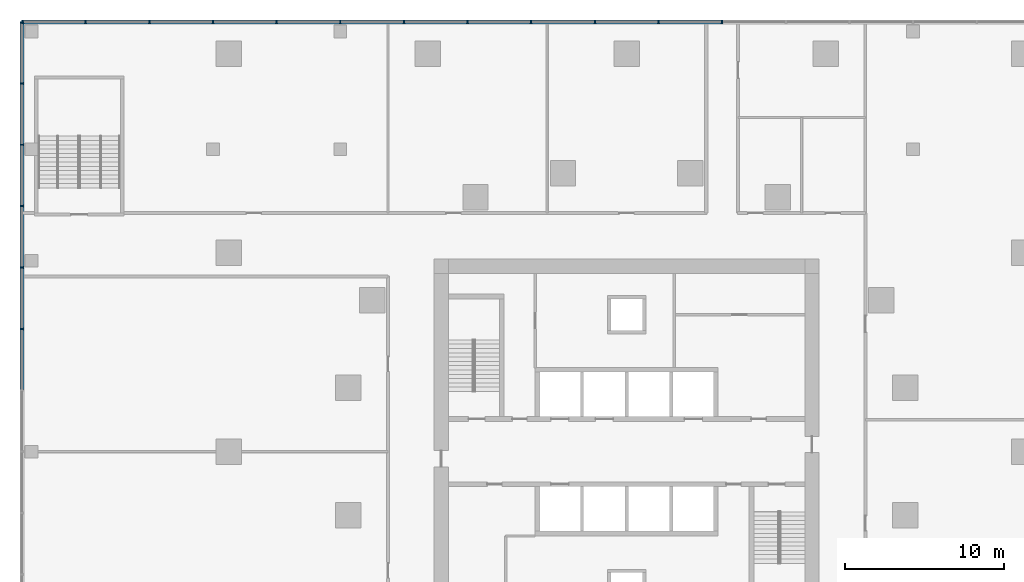
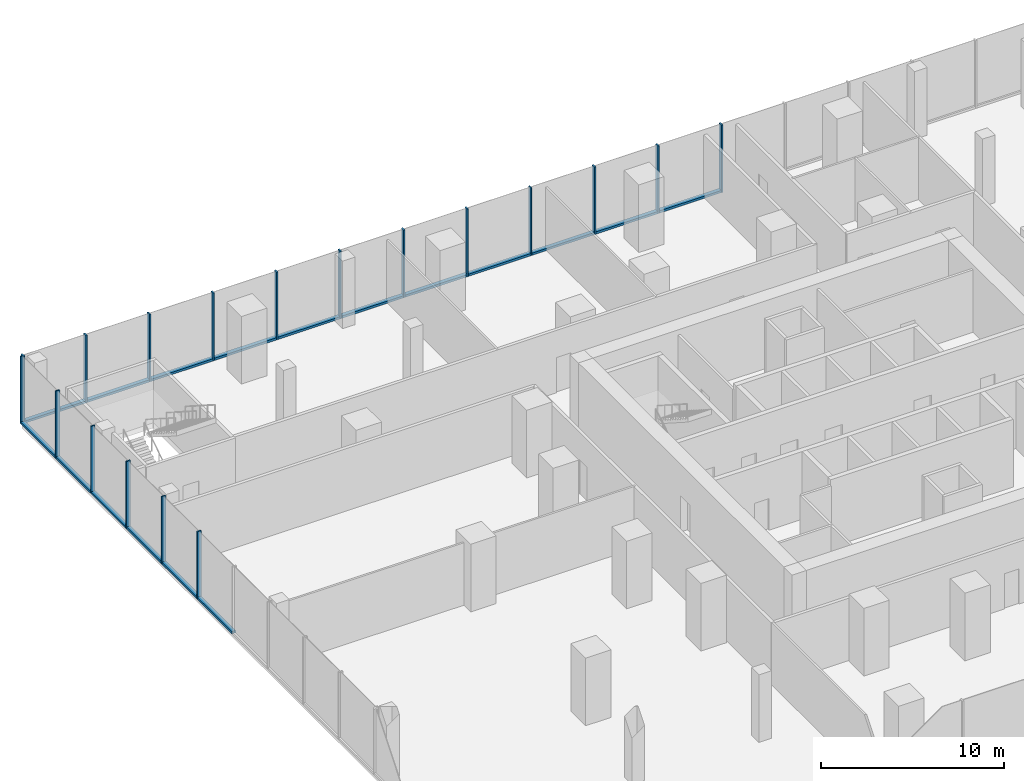
# One storey, part 4 of 15: 35 members, 2 elements without a shape of their own.
"""IFC4 building model written with IfcOpenShell, lengths in metres."""

from ifc_helpers import new_model, si_unit, direction, frame, origin, origin_2d, place, context, subcontext, project, spatial, rectangle, extrude, material, material_profile, profile_set, type_object, element, aggregate, save


model = new_model("IFC4")

# Units and contexts
model_context = context("Model", 3, precision=1e-05, world=origin(), true_north=direction((0.0, 1.0)))
body_context = subcontext(model_context, "Body", "Model", "MODEL_VIEW")
ifc_project = project(units=[si_unit("LENGTHUNIT", "METRE"), si_unit("AREAUNIT", "SQUARE_METRE"), si_unit("VOLUMEUNIT", "CUBIC_METRE"), si_unit("PLANEANGLEUNIT", "RADIAN"), si_unit("MASSUNIT", "GRAM", prefix="KILO")], contexts=[model_context])

# Site, building, storey
site_placement = place(None, origin())
site = spatial("IfcSite", under=ifc_project, at=site_placement, CompositionType="ELEMENT")
building_placement = place(site_placement, origin())
building = spatial("IfcBuilding", under=site, at=building_placement, Name="Torsade Residences", CompositionType="ELEMENT")
storey_placement = place(building_placement, frame((0.0, 0.0, 6.0)))
storey = spatial("IfcBuildingStorey", under=building, at=storey_placement, Name="L01", CompositionType="ELEMENT", Elevation=6.0)

# Curtain wall, members
ifc_material_1 = material(Name="Aluminium and glass", Category="aluminium")
curtain_wall_type = type_object("IfcCurtainWallType", Name="PODIUM CURTAIN WALL", PredefinedType="NOTDEFINED", material=ifc_material_1)
curtain_wall_1_placement = place(storey_placement, origin())
curtain_wall_1 = element("IfcCurtainWall", 1, at=curtain_wall_1_placement, inside=storey, type_object=curtain_wall_type, Name="Podium curtain wall L01 N", PredefinedType="NOTDEFINED")
ifc_material_2 = material(Name="Aluminium mullion", Category="aluminium")
ifc_material_profile_1 = material_profile(ifc_material_2, rectangle(XDim=0.25, YDim=0.090087890625, at=origin_2d()), Name="PODIUM CURTAIN WALL MULLION 250x90")
ifc_profile_set_1 = profile_set([ifc_material_profile_1], Name="Aluminium mullion")
member_type_1 = type_object("IfcMemberType", Name="PODIUM CURTAIN WALL MULLION 250x90", PredefinedType="MULLION", material=ifc_profile_set_1)
member_1_placement = place(storey_placement, frame((46.0, 57.0, 0.0), z_axis=(0.0, 0.0, 1.0), x_axis=(0.0, -1.0, 0.0)))
member_1 = element("IfcMember", 2, at=member_1_placement, type_object=member_type_1, Name="Mullion 9", PredefinedType="MULLION", context=body_context, shape_type="SweptSolid", body=[
    extrude(rectangle(XDim=0.25, YDim=0.090087890625, at=origin_2d()), origin(), (0.0, 0.0, 1.0), 4.5),
])
member_2_placement = place(storey_placement, frame((42.0, 57.0, 0.0), z_axis=(0.0, 0.0, 1.0), x_axis=(0.0, -1.0, 0.0)))
member_2 = element("IfcMember", 3, at=member_2_placement, type_object=member_type_1, Name="Mullion 10", PredefinedType="MULLION", context=body_context, shape_type="SweptSolid", body=[
    extrude(rectangle(XDim=0.25, YDim=0.090087890625, at=origin_2d()), origin(), (0.0, 0.0, 1.0), 4.5),
])
member_3_placement = place(storey_placement, frame((38.0, 57.0, 0.0), z_axis=(0.0, 0.0, 1.0), x_axis=(0.0, -1.0, 0.0)))
member_3 = element("IfcMember", 4, at=member_3_placement, type_object=member_type_1, Name="Mullion 11", PredefinedType="MULLION", context=body_context, shape_type="SweptSolid", body=[
    extrude(rectangle(XDim=0.25, YDim=0.090087890625, at=origin_2d()), origin(), (0.0, 0.0, 1.0), 4.5),
])
member_4_placement = place(storey_placement, frame((34.0, 57.0, 0.0), z_axis=(0.0, 0.0, 1.0), x_axis=(0.0, -1.0, 0.0)))
member_4 = element("IfcMember", 5, at=member_4_placement, type_object=member_type_1, Name="Mullion 12", PredefinedType="MULLION", context=body_context, shape_type="SweptSolid", body=[
    extrude(rectangle(XDim=0.25, YDim=0.090087890625, at=origin_2d()), origin(), (0.0, 0.0, 1.0), 4.5),
])
member_5_placement = place(storey_placement, frame((30.0, 57.0, 0.0), z_axis=(0.0, 0.0, 1.0), x_axis=(0.0, -1.0, 0.0)))
member_5 = element("IfcMember", 6, at=member_5_placement, type_object=member_type_1, Name="Mullion 13", PredefinedType="MULLION", context=body_context, shape_type="SweptSolid", body=[
    extrude(rectangle(XDim=0.25, YDim=0.090087890625, at=origin_2d()), origin(), (0.0, 0.0, 1.0), 4.5),
])
member_6_placement = place(storey_placement, frame((26.0, 57.0, 0.0), z_axis=(0.0, 0.0, 1.0), x_axis=(0.0, -1.0, 0.0)))
member_6 = element("IfcMember", 7, at=member_6_placement, type_object=member_type_1, Name="Mullion 14", PredefinedType="MULLION", context=body_context, shape_type="SweptSolid", body=[
    extrude(rectangle(XDim=0.25, YDim=0.090087890625, at=origin_2d()), origin(), (0.0, 0.0, 1.0), 4.5),
])
member_7_placement = place(storey_placement, frame((22.0, 57.0, 0.0), z_axis=(0.0, 0.0, 1.0), x_axis=(0.0, -1.0, 0.0)))
member_7 = element("IfcMember", 8, at=member_7_placement, type_object=member_type_1, Name="Mullion 15", PredefinedType="MULLION", context=body_context, shape_type="SweptSolid", body=[
    extrude(rectangle(XDim=0.25, YDim=0.090087890625, at=origin_2d()), origin(), (0.0, 0.0, 1.0), 4.5),
])
member_8_placement = place(storey_placement, frame((18.0, 57.0, 0.0), z_axis=(0.0, 0.0, 1.0), x_axis=(0.0, -1.0, 0.0)))
member_8 = element("IfcMember", 9, at=member_8_placement, type_object=member_type_1, Name="Mullion 16", PredefinedType="MULLION", context=body_context, shape_type="SweptSolid", body=[
    extrude(rectangle(XDim=0.25, YDim=0.090087890625, at=origin_2d()), origin(), (0.0, 0.0, 1.0), 4.5),
])
member_9_placement = place(storey_placement, frame((14.0, 57.0, 0.0), z_axis=(0.0, 0.0, 1.0), x_axis=(0.0, -1.0, 0.0)))
member_9 = element("IfcMember", 10, at=member_9_placement, type_object=member_type_1, Name="Mullion 17", PredefinedType="MULLION", context=body_context, shape_type="SweptSolid", body=[
    extrude(rectangle(XDim=0.25, YDim=0.090087890625, at=origin_2d()), origin(), (0.0, 0.0, 1.0), 4.5),
])
member_10_placement = place(storey_placement, frame((10.0, 57.0, 0.0), z_axis=(0.0, 0.0, 1.0), x_axis=(0.0, -1.0, 0.0)))
member_10 = element("IfcMember", 11, at=member_10_placement, type_object=member_type_1, Name="Mullion 18", PredefinedType="MULLION", context=body_context, shape_type="SweptSolid", body=[
    extrude(rectangle(XDim=0.25, YDim=0.090087890625, at=origin_2d()), origin(), (0.0, 0.0, 1.0), 4.5),
])
member_11_placement = place(storey_placement, frame((6.0, 57.0, 0.0), z_axis=(0.0, 0.0, 1.0), x_axis=(0.0, -1.0, 0.0)))
member_11 = element("IfcMember", 12, at=member_11_placement, type_object=member_type_1, Name="Mullion 19", PredefinedType="MULLION", context=body_context, shape_type="SweptSolid", body=[
    extrude(rectangle(XDim=0.25, YDim=0.090087890625, at=origin_2d()), origin(), (0.0, 0.0, 1.0), 4.5),
])
member_12_placement = place(storey_placement, frame((2.044921875, 57.0, 0.0), z_axis=(0.0, 0.0, 1.0), x_axis=(0.0, -1.0, 0.0)))
member_12 = element("IfcMember", 13, at=member_12_placement, type_object=member_type_1, Name="Mullion 20", PredefinedType="MULLION", context=body_context, shape_type="SweptSolid", body=[
    extrude(rectangle(XDim=0.25, YDim=0.090087890625, at=origin_2d()), origin(), (0.0, 0.0, 1.0), 4.5),
])

curtain_wall_2_placement = place(storey_placement, origin())
curtain_wall_2 = element("IfcCurtainWall", 14, at=curtain_wall_2_placement, inside=storey, type_object=curtain_wall_type, Name="Podium curtain wall L01 W", PredefinedType="NOTDEFINED")
member_13_placement = place(storey_placement, frame((2.0, 56.955078125, 0.0), z_axis=(0.0, 0.0, 1.0), x_axis=(1.0, 0.0, 0.0)))
member_13 = element("IfcMember", 15, at=member_13_placement, type_object=member_type_1, Name="Mullion 1", PredefinedType="MULLION", context=body_context, shape_type="SweptSolid", body=[
    extrude(rectangle(XDim=0.25, YDim=0.090087890625, at=origin_2d()), origin(), (0.0, 0.0, 1.0), 4.5),
])
member_14_placement = place(storey_placement, frame((2.0, 53.142822265625, 0.0), z_axis=(0.0, 0.0, 1.0), x_axis=(1.0, 0.0, 0.0)))
member_14 = element("IfcMember", 16, at=member_14_placement, type_object=member_type_1, Name="Mullion 2", PredefinedType="MULLION", context=body_context, shape_type="SweptSolid", body=[
    extrude(rectangle(XDim=0.25, YDim=0.090087890625, at=origin_2d()), origin(), (0.0, 0.0, 1.0), 4.5),
])
member_15_placement = place(storey_placement, frame((2.0, 49.28564453125, 0.0), z_axis=(0.0, 0.0, 1.0), x_axis=(1.0, 0.0, 0.0)))
member_15 = element("IfcMember", 17, at=member_15_placement, type_object=member_type_1, Name="Mullion 3", PredefinedType="MULLION", context=body_context, shape_type="SweptSolid", body=[
    extrude(rectangle(XDim=0.25, YDim=0.090087890625, at=origin_2d()), origin(), (0.0, 0.0, 1.0), 4.5),
])
member_16_placement = place(storey_placement, frame((2.0, 45.428466796875, 0.0), z_axis=(0.0, 0.0, 1.0), x_axis=(1.0, 0.0, 0.0)))
member_16 = element("IfcMember", 18, at=member_16_placement, type_object=member_type_1, Name="Mullion 4", PredefinedType="MULLION", context=body_context, shape_type="SweptSolid", body=[
    extrude(rectangle(XDim=0.25, YDim=0.090087890625, at=origin_2d()), origin(), (0.0, 0.0, 1.0), 4.5),
])
member_17_placement = place(storey_placement, frame((2.0, 41.571533203125, 0.0), z_axis=(0.0, 0.0, 1.0), x_axis=(1.0, 0.0, 0.0)))
member_17 = element("IfcMember", 19, at=member_17_placement, type_object=member_type_1, Name="Mullion 5", PredefinedType="MULLION", context=body_context, shape_type="SweptSolid", body=[
    extrude(rectangle(XDim=0.25, YDim=0.090087890625, at=origin_2d()), origin(), (0.0, 0.0, 1.0), 4.5),
])
member_18_placement = place(storey_placement, frame((2.0, 37.71435546875, 0.0), z_axis=(0.0, 0.0, 1.0), x_axis=(1.0, 0.0, 0.0)))
member_18 = element("IfcMember", 20, at=member_18_placement, type_object=member_type_1, Name="Mullion 6", PredefinedType="MULLION", context=body_context, shape_type="SweptSolid", body=[
    extrude(rectangle(XDim=0.25, YDim=0.090087890625, at=origin_2d()), origin(), (0.0, 0.0, 1.0), 4.5),
])

# Member
ifc_material_3 = material(Name="Aluminium transom", Category="aluminium")
ifc_material_profile_2 = material_profile(ifc_material_3, rectangle(XDim=0.25, YDim=0.14990234375, at=origin_2d()), Name="PODIUM CURTAIN WALL TRANSOM 250x150")
ifc_profile_set_2 = profile_set([ifc_material_profile_2], Name="Aluminium transom")
member_type_2 = type_object("IfcMemberType", Name="PODIUM CURTAIN WALL TRANSOM 250x150", PredefinedType="USERDEFINED", material=ifc_profile_set_2)
member_19_placement = place(storey_placement, frame((45.955078125, 57.0, 0.074951171875), z_axis=(-1.0, 0.0, 0.0), x_axis=(0.0, -1.0, 0.0)))
member_19 = element("IfcMember", 21, at=member_19_placement, type_object=member_type_2, Name="Transom 9.1", ObjectType="TRANSOM", PredefinedType="USERDEFINED", context=body_context, shape_type="SweptSolid", body=[
    extrude(rectangle(XDim=0.25, YDim=0.14990234375, at=origin_2d()), origin(), (0.0, 0.0, 1.0), 3.91015625),
])

member_20_placement = place(storey_placement, frame((41.955078125, 57.0, 0.074951171875), z_axis=(-1.0, 0.0, 0.0), x_axis=(0.0, -1.0, 0.0)))
member_20 = element("IfcMember", 22, at=member_20_placement, type_object=member_type_2, Name="Transom 10.1", ObjectType="TRANSOM", PredefinedType="USERDEFINED", context=body_context, shape_type="SweptSolid", body=[
    extrude(rectangle(XDim=0.25, YDim=0.14990234375, at=origin_2d()), origin(), (0.0, 0.0, 1.0), 3.91015625),
])

member_21_placement = place(storey_placement, frame((37.955078125, 57.0, 0.074951171875), z_axis=(-1.0, 0.0, 0.0), x_axis=(0.0, -1.0, 0.0)))
member_21 = element("IfcMember", 23, at=member_21_placement, type_object=member_type_2, Name="Transom 11.1", ObjectType="TRANSOM", PredefinedType="USERDEFINED", context=body_context, shape_type="SweptSolid", body=[
    extrude(rectangle(XDim=0.25, YDim=0.14990234375, at=origin_2d()), origin(), (0.0, 0.0, 1.0), 3.91015625),
])

member_22_placement = place(storey_placement, frame((33.955078125, 57.0, 0.074951171875), z_axis=(-1.0, 0.0, 0.0), x_axis=(0.0, -1.0, 0.0)))
member_22 = element("IfcMember", 24, at=member_22_placement, type_object=member_type_2, Name="Transom 12.1", ObjectType="TRANSOM", PredefinedType="USERDEFINED", context=body_context, shape_type="SweptSolid", body=[
    extrude(rectangle(XDim=0.25, YDim=0.14990234375, at=origin_2d()), origin(), (0.0, 0.0, 1.0), 3.91015625),
])

member_23_placement = place(storey_placement, frame((29.955078125, 57.0, 0.074951171875), z_axis=(-1.0, 0.0, 0.0), x_axis=(0.0, -1.0, 0.0)))
member_23 = element("IfcMember", 25, at=member_23_placement, type_object=member_type_2, Name="Transom 13.1", ObjectType="TRANSOM", PredefinedType="USERDEFINED", context=body_context, shape_type="SweptSolid", body=[
    extrude(rectangle(XDim=0.25, YDim=0.14990234375, at=origin_2d()), origin(), (0.0, 0.0, 1.0), 3.91015625),
])

member_24_placement = place(storey_placement, frame((25.955078125, 57.0, 0.074951171875), z_axis=(-1.0, 0.0, 0.0), x_axis=(0.0, -1.0, 0.0)))
member_24 = element("IfcMember", 26, at=member_24_placement, type_object=member_type_2, Name="Transom 14.1", ObjectType="TRANSOM", PredefinedType="USERDEFINED", context=body_context, shape_type="SweptSolid", body=[
    extrude(rectangle(XDim=0.25, YDim=0.14990234375, at=origin_2d()), origin(), (0.0, 0.0, 1.0), 3.91015625),
])

member_25_placement = place(storey_placement, frame((21.955078125, 57.0, 0.074951171875), z_axis=(-1.0, 0.0, 0.0), x_axis=(0.0, -1.0, 0.0)))
member_25 = element("IfcMember", 27, at=member_25_placement, type_object=member_type_2, Name="Transom 15.1", ObjectType="TRANSOM", PredefinedType="USERDEFINED", context=body_context, shape_type="SweptSolid", body=[
    extrude(rectangle(XDim=0.25, YDim=0.14990234375, at=origin_2d()), origin(), (0.0, 0.0, 1.0), 3.91015625),
])

member_26_placement = place(storey_placement, frame((17.955078125, 57.0, 0.074951171875), z_axis=(-1.0, 0.0, 0.0), x_axis=(0.0, -1.0, 0.0)))
member_26 = element("IfcMember", 28, at=member_26_placement, type_object=member_type_2, Name="Transom 16.1", ObjectType="TRANSOM", PredefinedType="USERDEFINED", context=body_context, shape_type="SweptSolid", body=[
    extrude(rectangle(XDim=0.25, YDim=0.14990234375, at=origin_2d()), origin(), (0.0, 0.0, 1.0), 3.91015625),
])

member_27_placement = place(storey_placement, frame((13.955078125, 57.0, 0.074951171875), z_axis=(-1.0, 0.0, 0.0), x_axis=(0.0, -1.0, 0.0)))
member_27 = element("IfcMember", 29, at=member_27_placement, type_object=member_type_2, Name="Transom 17.1", ObjectType="TRANSOM", PredefinedType="USERDEFINED", context=body_context, shape_type="SweptSolid", body=[
    extrude(rectangle(XDim=0.25, YDim=0.14990234375, at=origin_2d()), origin(), (0.0, 0.0, 1.0), 3.91015625),
])

member_28_placement = place(storey_placement, frame((9.955078125, 57.0, 0.074951171875), z_axis=(-1.0, 0.0, 0.0), x_axis=(0.0, -1.0, 0.0)))
member_28 = element("IfcMember", 30, at=member_28_placement, type_object=member_type_2, Name="Transom 18.1", ObjectType="TRANSOM", PredefinedType="USERDEFINED", context=body_context, shape_type="SweptSolid", body=[
    extrude(rectangle(XDim=0.25, YDim=0.14990234375, at=origin_2d()), origin(), (0.0, 0.0, 1.0), 3.91015625),
])

member_29_placement = place(storey_placement, frame((5.955078125, 57.0, 0.074951171875), z_axis=(-1.0, 0.0, 0.0), x_axis=(0.0, -1.0, 0.0)))
member_29 = element("IfcMember", 31, at=member_29_placement, type_object=member_type_2, Name="Transom 19.1", ObjectType="TRANSOM", PredefinedType="USERDEFINED", context=body_context, shape_type="SweptSolid", body=[
    extrude(rectangle(XDim=0.25, YDim=0.14990234375, at=origin_2d()), origin(), (0.0, 0.0, 1.0), 3.864990234375),
])

aggregate(curtain_wall_1, [member_1, member_2, member_3, member_4, member_5, member_6, member_7, member_8, member_9, member_10, member_11, member_12, member_19, member_20, member_21, member_22, member_23, member_24, member_25, member_26, member_27, member_28, member_29])

member_30_placement = place(storey_placement, frame((2.0, 56.909912109375, 0.074951171875), z_axis=(0.0, -1.0, 0.0), x_axis=(1.0, 0.0, 0.0)))
member_30 = element("IfcMember", 32, at=member_30_placement, type_object=member_type_2, Name="Transom 1.1", ObjectType="TRANSOM", PredefinedType="USERDEFINED", context=body_context, shape_type="SweptSolid", body=[
    extrude(rectangle(XDim=0.25, YDim=0.14990234375, at=origin_2d()), origin(), (0.0, 0.0, 1.0), 3.72216796875),
])

member_31_placement = place(storey_placement, frame((2.0, 53.097900390625, 0.074951171875), z_axis=(0.0, -1.0, 0.0), x_axis=(1.0, 0.0, 0.0)))
member_31 = element("IfcMember", 33, at=member_31_placement, type_object=member_type_2, Name="Transom 2.1", ObjectType="TRANSOM", PredefinedType="USERDEFINED", context=body_context, shape_type="SweptSolid", body=[
    extrude(rectangle(XDim=0.25, YDim=0.14990234375, at=origin_2d()), origin(), (0.0, 0.0, 1.0), 3.76708984375),
])

member_32_placement = place(storey_placement, frame((2.0, 49.24072265625, 0.074951171875), z_axis=(0.0, -1.0, 0.0), x_axis=(1.0, 0.0, 0.0)))
member_32 = element("IfcMember", 34, at=member_32_placement, type_object=member_type_2, Name="Transom 3.1", ObjectType="TRANSOM", PredefinedType="USERDEFINED", context=body_context, shape_type="SweptSolid", body=[
    extrude(rectangle(XDim=0.25, YDim=0.14990234375, at=origin_2d()), origin(), (0.0, 0.0, 1.0), 3.76708984375),
])

member_33_placement = place(storey_placement, frame((2.0, 45.383544921875, 0.074951171875), z_axis=(0.0, -1.0, 0.0), x_axis=(1.0, 0.0, 0.0)))
member_33 = element("IfcMember", 35, at=member_33_placement, type_object=member_type_2, Name="Transom 4.1", ObjectType="TRANSOM", PredefinedType="USERDEFINED", context=body_context, shape_type="SweptSolid", body=[
    extrude(rectangle(XDim=0.25, YDim=0.14990234375, at=origin_2d()), origin(), (0.0, 0.0, 1.0), 3.76708984375),
])

member_34_placement = place(storey_placement, frame((2.0, 41.5263671875, 0.074951171875), z_axis=(0.0, -1.0, 0.0), x_axis=(1.0, 0.0, 0.0)))
member_34 = element("IfcMember", 36, at=member_34_placement, type_object=member_type_2, Name="Transom 5.1", ObjectType="TRANSOM", PredefinedType="USERDEFINED", context=body_context, shape_type="SweptSolid", body=[
    extrude(rectangle(XDim=0.25, YDim=0.14990234375, at=origin_2d()), origin(), (0.0, 0.0, 1.0), 3.76708984375),
])

member_35_placement = place(storey_placement, frame((2.0, 37.669189453125, 0.074951171875), z_axis=(0.0, -1.0, 0.0), x_axis=(1.0, 0.0, 0.0)))
member_35 = element("IfcMember", 37, at=member_35_placement, type_object=member_type_2, Name="Transom 6.1", ObjectType="TRANSOM", PredefinedType="USERDEFINED", context=body_context, shape_type="SweptSolid", body=[
    extrude(rectangle(XDim=0.25, YDim=0.14990234375, at=origin_2d()), origin(), (0.0, 0.0, 1.0), 3.76708984375),
])

aggregate(curtain_wall_2, [member_13, member_14, member_15, member_16, member_17, member_18, member_30, member_31, member_32, member_33, member_34, member_35])

save(model, "model.ifc")
